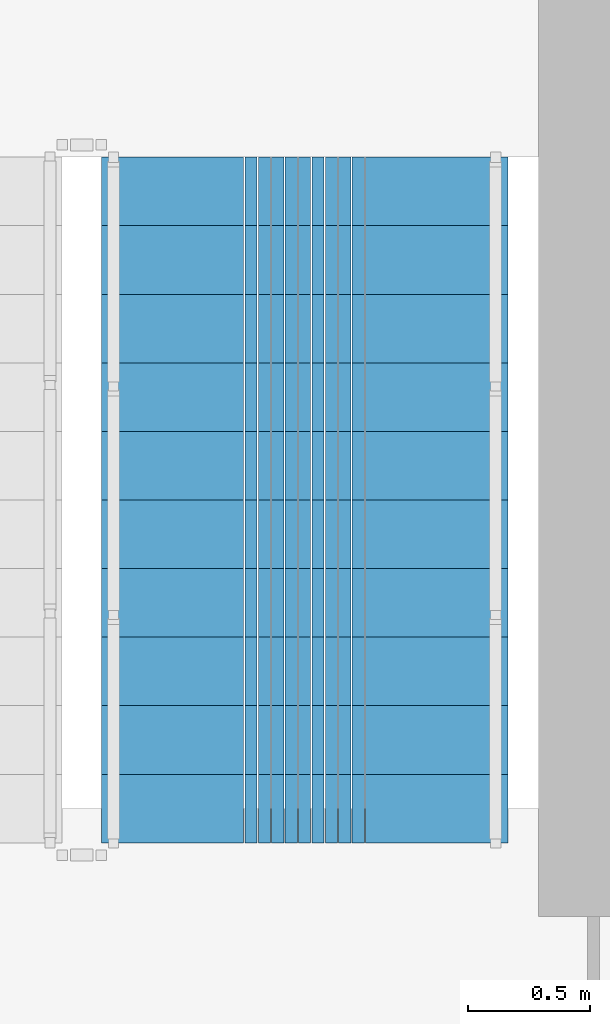
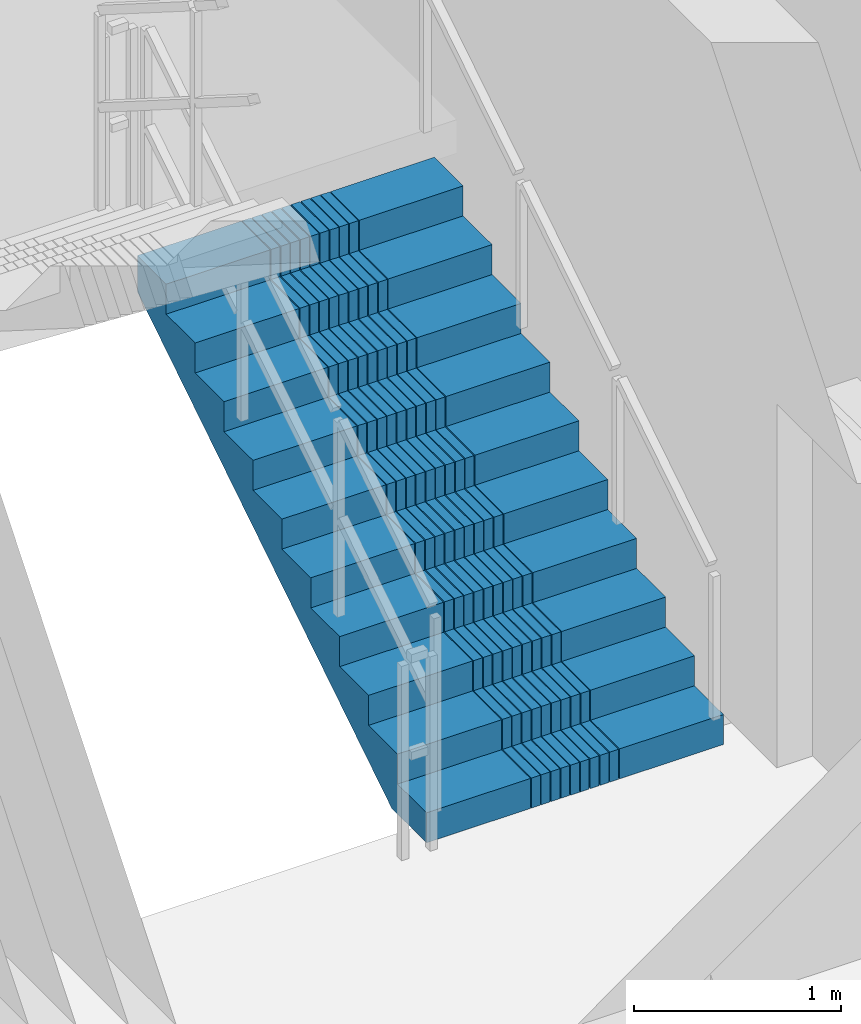
# One storey, part 44 of 45: 1 stair flight, 1 element without a shape of its own.
"""IFC4 building model written with IfcOpenShell, lengths in metres."""

import ifcopenshell
import ifcopenshell.guid

model = None  # the IFC model being written
_history = None  # IfcOwnerHistory: only IFC2X3 demands one
_inside = {}  # id of a spatial element -> (the spatial element, [elements in it])
_under = {}  # id of a project, library or spatial element -> (it, [spatial elements below it])
_declared = {}  # id of a project -> (the project, [libraries it declares])
_typed = {}  # id of a type object -> (the type object, [elements of that type])
_made_of = {}  # id of a material, layer set ... -> (it, [elements and type objects made of it])


def new_model(schema):
    """Start an empty IFC model of exactly this schema.

    Asked for "IFC4X3", IfcOpenShell would pick the latest addendum, in which some entities
    have other attributes; the version numbers below select the first issue.
    IFC2X3 requires an IfcOwnerHistory on every rooted entity: one is made here for all.
    """
    global model, _history
    if schema == "IFC4X3":
        model = ifcopenshell.file(schema_version=(4, 3, 0, 0))
    else:
        model = ifcopenshell.file(schema=schema)
    _inside.clear()
    _under.clear()
    _declared.clear()
    _typed.clear()
    _made_of.clear()
    _history = None
    if model.schema == "IFC2X3":
        org = make("IfcOrganization", Name="unknown")
        user = make(
            "IfcPersonAndOrganization",
            ThePerson=make("IfcPerson", FamilyName="unknown"),
            TheOrganization=org,
        )
        app = make(
            "IfcApplication",
            ApplicationDeveloper=org,
            Version="unknown",
            ApplicationFullName="unknown",
            ApplicationIdentifier="unknown",
        )
        _history = make(
            "IfcOwnerHistory",
            OwningUser=user,
            OwningApplication=app,
            ChangeAction="ADDED",
            CreationDate=0,
        )
    return model


def make(cls, **values):
    """One entity of the class cls with the attributes given. An attribute that is None is left unset."""
    return model.create_entity(
        cls, **{name: value for name, value in values.items() if value is not None}
    )


def rooted(cls, **values):
    """An entity with a GlobalId (a new one), such as an element, a storey or a relation."""
    return make(cls, GlobalId=ifcopenshell.guid.new(), OwnerHistory=_history, **values)


def si_unit(unit_type, name, prefix=None):
    """IfcSIUnit, for example si_unit("LENGTHUNIT", "METRE", prefix="MILLI")."""
    return make("IfcSIUnit", UnitType=unit_type, Prefix=prefix, Name=name)


def assignment(units):
    """IfcUnitAssignment: the units of a project."""
    return None if units is None else make("IfcUnitAssignment", Units=units)


def point(xyz):
    """IfcCartesianPoint."""
    return None if xyz is None else make("IfcCartesianPoint", Coordinates=xyz)


def direction(xyz):
    """IfcDirection."""
    return None if xyz is None else make("IfcDirection", DirectionRatios=xyz)


def frame(location, z_axis=None, x_axis=None):
    """IfcAxis2Placement3D, a coordinate frame: its origin and axes. An axis left out is left unset."""
    return make(
        "IfcAxis2Placement3D",
        Location=point(location),
        Axis=direction(z_axis),
        RefDirection=direction(x_axis),
    )


def origin():
    """The frame at (0, 0, 0) with its axes left unset."""
    return frame((0.0, 0.0, 0.0))


def place(relative_to, where):
    """IfcLocalPlacement: puts the frame where relative to a parent placement (None: the world)."""
    return make(
        "IfcLocalPlacement", PlacementRelTo=relative_to, RelativePlacement=where
    )


def context(
    kind, dimensions, precision=None, world=None, true_north=None, identifier=None
):
    """IfcGeometricRepresentationContext, for example the 3D "Model" context."""
    return make(
        "IfcGeometricRepresentationContext",
        ContextIdentifier=identifier,
        ContextType=kind,
        CoordinateSpaceDimension=dimensions,
        Precision=precision,
        WorldCoordinateSystem=world,
        TrueNorth=true_north,
    )


def subcontext(parent, identifier, kind, view, scale=None):
    """IfcGeometricRepresentationSubContext, for example "Body" below "Model"."""
    return make(
        "IfcGeometricRepresentationSubContext",
        ContextIdentifier=identifier,
        ContextType=kind,
        ParentContext=parent,
        TargetScale=scale,
        TargetView=view,
    )


def project(units=None, contexts=None):
    """IfcProject with its units and contexts."""
    return rooted(
        "IfcProject",
        Name="project",
        RepresentationContexts=contexts,
        UnitsInContext=assignment(units),
    )


def spatial(cls, under=None, at=None, **own):
    """A site, building, storey or space (cls), placed at a placement, below another one or the project."""
    s = rooted(cls, ObjectPlacement=at, **own)
    if under is not None:
        _under.setdefault(under.id(), (under, []))[1].append(s)
    return s


def polyline(points):
    """IfcPolyline through the points."""
    return make("IfcPolyline", Points=[point(p) for p in points])


def outline(outer, holes=None, kind="AREA"):
    """IfcArbitraryClosedProfileDef: a profile drawn as a closed curve; with holes, ...WithVoids."""
    if holes is None:
        return make("IfcArbitraryClosedProfileDef", ProfileType=kind, OuterCurve=outer)
    return make(
        "IfcArbitraryProfileDefWithVoids",
        ProfileType=kind,
        OuterCurve=outer,
        InnerCurves=holes,
    )


def extrude(swept, where, along, depth):
    """IfcExtrudedAreaSolid: the profile swept, set in the frame where, extruded along a direction by depth."""
    return make(
        "IfcExtrudedAreaSolid",
        SweptArea=swept,
        Position=where,
        ExtrudedDirection=direction(along),
        Depth=depth,
    )


def shape(context_of_items, identifier, shape_type, items):
    """IfcShapeRepresentation: the items that make up one representation, for example the "Body"."""
    return make(
        "IfcShapeRepresentation",
        ContextOfItems=context_of_items,
        RepresentationIdentifier=identifier,
        RepresentationType=shape_type,
        Items=items,
    )


def material(Name=None, Category=None):
    """IfcMaterial."""
    return make("IfcMaterial", Name=Name, Category=Category)


def made_of(thing, what):
    """Note that an element or type object is made of a material, layer set ...; save() writes the relation."""
    if what is not None:
        _made_of.setdefault(what.id(), (what, []))[1].append(thing)
    return thing


def type_object(cls, material=None, **own):
    """A type object (cls), such as IfcWallType, which elements share."""
    return made_of(rooted(cls, **own), material)


def element(
    cls,
    number,
    at=None,
    inside=None,
    cuts=None,
    type_object=None,
    material=None,
    context=None,
    identifier="Body",
    shape_type=None,
    held_by="IfcProductDefinitionShape",
    body=None,
    shapes=None,
    **own,
):
    """One element of the class cls, such as IfcWall. Its Tag is "e" and its number.

    at: its placement. inside: the storey or other place that contains it. cuts: it is an
    opening in that element (IfcRelVoidsElement). A single representation is given by context,
    identifier, shape_type and body (its items); several are given by shapes. held_by: the class
    of the entity that holds the representations. save() writes the other relations.
    """
    e = rooted(cls, Tag="e%d" % number, ObjectPlacement=at, **own)
    if body is not None:
        shapes = [shape(context, identifier, shape_type, body)]
    if shapes is not None:
        e.Representation = make(held_by, Representations=shapes)
    if inside is not None:
        _inside.setdefault(inside.id(), (inside, []))[1].append(e)
    if cuts is not None:
        rooted(
            "IfcRelVoidsElement", RelatingBuildingElement=cuts, RelatedOpeningElement=e
        )
    if type_object is not None:
        _typed.setdefault(type_object.id(), (type_object, []))[1].append(e)
    return made_of(e, material)


def aggregate(whole, parts):
    """IfcRelAggregates: a whole, such as a stair, and the parts it consists of."""
    return rooted("IfcRelAggregates", RelatingObject=whole, RelatedObjects=parts)


def save(model, path):
    """Write the relations noted so far, then the file.

    IfcRelAggregates (storeys below a building ...), IfcRelContainedInSpatialStructure (elements
    in a storey), IfcRelDefinesByType, IfcRelAssociatesMaterial and IfcRelDeclares: one each for
    every whole, place, type object, material and project.
    """
    for whole, parts in _under.values():
        aggregate(whole, parts)
    for where, things in _inside.values():
        rooted(
            "IfcRelContainedInSpatialStructure",
            RelatedElements=things,
            RelatingStructure=where,
        )
    for kind, things in _typed.values():
        rooted("IfcRelDefinesByType", RelatedObjects=things, RelatingType=kind)
    for what, things in _made_of.values():
        rooted("IfcRelAssociatesMaterial", RelatedObjects=things, RelatingMaterial=what)
    for by, libraries in _declared.values():
        rooted("IfcRelDeclares", RelatingContext=by, RelatedDefinitions=libraries)
    model.write(path)


model = new_model("IFC4")

# Units and contexts
model_context = context("Model", 3, precision=1e-05, world=origin(), true_north=direction((0.0, 1.0)))
body_context = subcontext(model_context, "Body", "Model", "MODEL_VIEW")
ifc_project = project(units=[si_unit("LENGTHUNIT", "METRE"), si_unit("AREAUNIT", "SQUARE_METRE"), si_unit("VOLUMEUNIT", "CUBIC_METRE"), si_unit("PLANEANGLEUNIT", "RADIAN"), si_unit("MASSUNIT", "GRAM", prefix="KILO")], contexts=[model_context])

# Site, building, storey
site_placement = place(None, origin())
site = spatial("IfcSite", under=ifc_project, at=site_placement, CompositionType="ELEMENT")
building_placement = place(site_placement, origin())
building = spatial("IfcBuilding", under=site, at=building_placement, Name="Saelheon Loggia Tower", CompositionType="ELEMENT")
storey_placement = place(building_placement, frame((0.0, 0.0, 152.199951171875)))
storey = spatial("IfcBuildingStorey", under=building, at=storey_placement, Name="L48", CompositionType="ELEMENT", Elevation=152.199951171875)

# Stair, stair flight
ifc_material = material(Name="Concrete C40/50", Category="concrete")
stair_type = type_object("IfcStairType", Name="Stair_Escape_Core", PredefinedType="HALF_TURN_STAIR", material=ifc_material)
stair_placement = place(storey_placement, origin())
stair = element("IfcStair", 1, at=stair_placement, inside=storey, type_object=stair_type, Name="L48 Special Escape Stair ST2", PredefinedType="HALF_TURN_STAIR")
stair_flight_type = type_object("IfcStairFlightType", Name="StairFlight_Tower_1660", PredefinedType="STRAIGHT", material=ifc_material)
stair_flight_placement = place(storey_placement, frame((43.320068359375, 30.449951171875, 0.0), z_axis=(0.0, 0.0, 1.0), x_axis=(0.0, 1.0, 0.0)))
stair_flight = element("IfcStairFlight", 2, at=stair_flight_placement, type_object=stair_flight_type, Name="ST2 flight 1", NumberOfRisers=11, NumberOfTreads=10, PredefinedType="STRAIGHT", RiserHeight=0.177272727, TreadLength=0.28, context=body_context, shape_type="SweptSolid", body=[
    extrude(outline(polyline([(0.0, 0.0), (0.0, 0.17724609375), (0.280029296875, 0.17724609375), (0.280029296875, 0.3544921875), (0.56005859375, 0.3544921875), (0.56005859375, 0.53173828125), (0.840087890625, 0.53173828125), (0.840087890625, 0.708984375), (1.1201171875, 0.708984375), (1.1201171875, 0.886474609375), (1.39990234375, 0.886474609375), (1.39990234375, 1.063720703125), (1.679931640625, 1.063720703125), (1.679931640625, 1.240966796875), (1.9599609375, 1.240966796875), (1.9599609375, 1.418212890625), (2.239990234375, 1.418212890625), (2.239990234375, 1.595458984375), (2.52001953125, 1.595458984375), (2.52001953125, 1.772705078125), (2.800048828125, 1.772705078125), (2.800048828125, 1.949951171875), (2.800048828125, 1.559814453125), (0.33642578125, 0.0), (0.0, 0.0)])), frame((0.0, -0.2490234375, 0.0), z_axis=(0.0, -1.0, 0.0), x_axis=(1.0, 0.0, 0.0)), (0.0, 0.0, 1.0), 0.5810546875),
    extrude(outline(polyline([(0.0, 0.0), (0.0, 0.17724609375), (0.280029296875, 0.17724609375), (0.280029296875, 0.3544921875), (0.56005859375, 0.3544921875), (0.56005859375, 0.53173828125), (0.840087890625, 0.53173828125), (0.840087890625, 0.708984375), (1.1201171875, 0.708984375), (1.1201171875, 0.886474609375), (1.39990234375, 0.886474609375), (1.39990234375, 1.063720703125), (1.679931640625, 1.063720703125), (1.679931640625, 1.240966796875), (1.9599609375, 1.240966796875), (1.9599609375, 1.418212890625), (2.239990234375, 1.418212890625), (2.239990234375, 1.595458984375), (2.52001953125, 1.595458984375), (2.52001953125, 1.772705078125), (2.800048828125, 1.772705078125), (2.800048828125, 1.949951171875), (2.800048828125, 1.559814453125), (0.33642578125, 0.0), (0.0, 0.0)])), frame((0.0, -0.194091796875, 0.0), z_axis=(0.0, -1.0, 0.0), x_axis=(1.0, 0.0, 0.0)), (0.0, 0.0, 1.0), 0.0498046875),
    extrude(outline(polyline([(0.0, 0.0), (0.0, 0.17724609375), (0.280029296875, 0.17724609375), (0.280029296875, 0.3544921875), (0.56005859375, 0.3544921875), (0.56005859375, 0.53173828125), (0.840087890625, 0.53173828125), (0.840087890625, 0.708984375), (1.1201171875, 0.708984375), (1.1201171875, 0.886474609375), (1.39990234375, 0.886474609375), (1.39990234375, 1.063720703125), (1.679931640625, 1.063720703125), (1.679931640625, 1.240966796875), (1.9599609375, 1.240966796875), (1.9599609375, 1.418212890625), (2.239990234375, 1.418212890625), (2.239990234375, 1.595458984375), (2.52001953125, 1.595458984375), (2.52001953125, 1.772705078125), (2.800048828125, 1.772705078125), (2.800048828125, 1.949951171875), (2.800048828125, 1.559814453125), (0.33642578125, 0.0), (0.0, 0.0)])), frame((0.0, -0.139404296875, 0.0), z_axis=(0.0, -1.0, 0.0), x_axis=(1.0, 0.0, 0.0)), (0.0, 0.0, 1.0), 0.0498046875),
    extrude(outline(polyline([(0.0, 0.0), (0.0, 0.17724609375), (0.280029296875, 0.17724609375), (0.280029296875, 0.3544921875), (0.56005859375, 0.3544921875), (0.56005859375, 0.53173828125), (0.840087890625, 0.53173828125), (0.840087890625, 0.708984375), (1.1201171875, 0.708984375), (1.1201171875, 0.886474609375), (1.39990234375, 0.886474609375), (1.39990234375, 1.063720703125), (1.679931640625, 1.063720703125), (1.679931640625, 1.240966796875), (1.9599609375, 1.240966796875), (1.9599609375, 1.418212890625), (2.239990234375, 1.418212890625), (2.239990234375, 1.595458984375), (2.52001953125, 1.595458984375), (2.52001953125, 1.772705078125), (2.800048828125, 1.772705078125), (2.800048828125, 1.949951171875), (2.800048828125, 1.559814453125), (0.33642578125, 0.0), (0.0, 0.0)])), frame((0.0, -0.084716796875, 0.0), z_axis=(0.0, -1.0, 0.0), x_axis=(1.0, 0.0, 0.0)), (0.0, 0.0, 1.0), 0.0498046875),
    extrude(outline(polyline([(0.0, 0.0), (0.0, 0.17724609375), (0.280029296875, 0.17724609375), (0.280029296875, 0.3544921875), (0.56005859375, 0.3544921875), (0.56005859375, 0.53173828125), (0.840087890625, 0.53173828125), (0.840087890625, 0.708984375), (1.1201171875, 0.708984375), (1.1201171875, 0.886474609375), (1.39990234375, 0.886474609375), (1.39990234375, 1.063720703125), (1.679931640625, 1.063720703125), (1.679931640625, 1.240966796875), (1.9599609375, 1.240966796875), (1.9599609375, 1.418212890625), (2.239990234375, 1.418212890625), (2.239990234375, 1.595458984375), (2.52001953125, 1.595458984375), (2.52001953125, 1.772705078125), (2.800048828125, 1.772705078125), (2.800048828125, 1.949951171875), (2.800048828125, 1.559814453125), (0.33642578125, 0.0), (0.0, 0.0)])), frame((0.0, -0.02978515625, 0.0), z_axis=(0.0, -1.0, 0.0), x_axis=(1.0, 0.0, 0.0)), (0.0, 0.0, 1.0), 0.0498046875),
    extrude(outline(polyline([(0.0, 0.0), (0.0, 0.17724609375), (0.280029296875, 0.17724609375), (0.280029296875, 0.3544921875), (0.56005859375, 0.3544921875), (0.56005859375, 0.53173828125), (0.840087890625, 0.53173828125), (0.840087890625, 0.708984375), (1.1201171875, 0.708984375), (1.1201171875, 0.886474609375), (1.39990234375, 0.886474609375), (1.39990234375, 1.063720703125), (1.679931640625, 1.063720703125), (1.679931640625, 1.240966796875), (1.9599609375, 1.240966796875), (1.9599609375, 1.418212890625), (2.239990234375, 1.418212890625), (2.239990234375, 1.595458984375), (2.52001953125, 1.595458984375), (2.52001953125, 1.772705078125), (2.800048828125, 1.772705078125), (2.800048828125, 1.949951171875), (2.800048828125, 1.559814453125), (0.33642578125, 0.0), (0.0, 0.0)])), frame((0.0, 0.02490234375, 0.0), z_axis=(0.0, -1.0, 0.0), x_axis=(1.0, 0.0, 0.0)), (0.0, 0.0, 1.0), 0.0498046875),
    extrude(outline(polyline([(0.0, 0.0), (0.0, 0.17724609375), (0.280029296875, 0.17724609375), (0.280029296875, 0.3544921875), (0.56005859375, 0.3544921875), (0.56005859375, 0.53173828125), (0.840087890625, 0.53173828125), (0.840087890625, 0.708984375), (1.1201171875, 0.708984375), (1.1201171875, 0.886474609375), (1.39990234375, 0.886474609375), (1.39990234375, 1.063720703125), (1.679931640625, 1.063720703125), (1.679931640625, 1.240966796875), (1.9599609375, 1.240966796875), (1.9599609375, 1.418212890625), (2.239990234375, 1.418212890625), (2.239990234375, 1.595458984375), (2.52001953125, 1.595458984375), (2.52001953125, 1.772705078125), (2.800048828125, 1.772705078125), (2.800048828125, 1.949951171875), (2.800048828125, 1.559814453125), (0.33642578125, 0.0), (0.0, 0.0)])), frame((0.0, 0.07958984375, 0.0), z_axis=(0.0, -1.0, 0.0), x_axis=(1.0, 0.0, 0.0)), (0.0, 0.0, 1.0), 0.0498046875),
    extrude(outline(polyline([(0.0, 0.0), (0.0, 0.17724609375), (0.280029296875, 0.17724609375), (0.280029296875, 0.3544921875), (0.56005859375, 0.3544921875), (0.56005859375, 0.53173828125), (0.840087890625, 0.53173828125), (0.840087890625, 0.708984375), (1.1201171875, 0.708984375), (1.1201171875, 0.886474609375), (1.39990234375, 0.886474609375), (1.39990234375, 1.063720703125), (1.679931640625, 1.063720703125), (1.679931640625, 1.240966796875), (1.9599609375, 1.240966796875), (1.9599609375, 1.418212890625), (2.239990234375, 1.418212890625), (2.239990234375, 1.595458984375), (2.52001953125, 1.595458984375), (2.52001953125, 1.772705078125), (2.800048828125, 1.772705078125), (2.800048828125, 1.949951171875), (2.800048828125, 1.559814453125), (0.33642578125, 0.0), (0.0, 0.0)])), frame((0.0, 0.134521484375, 0.0), z_axis=(0.0, -1.0, 0.0), x_axis=(1.0, 0.0, 0.0)), (0.0, 0.0, 1.0), 0.0498046875),
    extrude(outline(polyline([(0.0, 0.0), (0.0, 0.17724609375), (0.280029296875, 0.17724609375), (0.280029296875, 0.3544921875), (0.56005859375, 0.3544921875), (0.56005859375, 0.53173828125), (0.840087890625, 0.53173828125), (0.840087890625, 0.708984375), (1.1201171875, 0.708984375), (1.1201171875, 0.886474609375), (1.39990234375, 0.886474609375), (1.39990234375, 1.063720703125), (1.679931640625, 1.063720703125), (1.679931640625, 1.240966796875), (1.9599609375, 1.240966796875), (1.9599609375, 1.418212890625), (2.239990234375, 1.418212890625), (2.239990234375, 1.595458984375), (2.52001953125, 1.595458984375), (2.52001953125, 1.772705078125), (2.800048828125, 1.772705078125), (2.800048828125, 1.949951171875), (2.800048828125, 1.559814453125), (0.33642578125, 0.0), (0.0, 0.0)])), frame((0.0, 0.189208984375, 0.0), z_axis=(0.0, -1.0, 0.0), x_axis=(1.0, 0.0, 0.0)), (0.0, 0.0, 1.0), 0.0498046875),
    extrude(outline(polyline([(0.0, 0.0), (0.0, 0.17724609375), (0.280029296875, 0.17724609375), (0.280029296875, 0.3544921875), (0.56005859375, 0.3544921875), (0.56005859375, 0.53173828125), (0.840087890625, 0.53173828125), (0.840087890625, 0.708984375), (1.1201171875, 0.708984375), (1.1201171875, 0.886474609375), (1.39990234375, 0.886474609375), (1.39990234375, 1.063720703125), (1.679931640625, 1.063720703125), (1.679931640625, 1.240966796875), (1.9599609375, 1.240966796875), (1.9599609375, 1.418212890625), (2.239990234375, 1.418212890625), (2.239990234375, 1.595458984375), (2.52001953125, 1.595458984375), (2.52001953125, 1.772705078125), (2.800048828125, 1.772705078125), (2.800048828125, 1.949951171875), (2.800048828125, 1.559814453125), (0.33642578125, 0.0), (0.0, 0.0)])), frame((0.0, 0.243896484375, 0.0), z_axis=(0.0, -1.0, 0.0), x_axis=(1.0, 0.0, 0.0)), (0.0, 0.0, 1.0), 0.0498046875),
    extrude(outline(polyline([(0.0, 0.0), (0.0, 0.17724609375), (0.280029296875, 0.17724609375), (0.280029296875, 0.3544921875), (0.56005859375, 0.3544921875), (0.56005859375, 0.53173828125), (0.840087890625, 0.53173828125), (0.840087890625, 0.708984375), (1.1201171875, 0.708984375), (1.1201171875, 0.886474609375), (1.39990234375, 0.886474609375), (1.39990234375, 1.063720703125), (1.679931640625, 1.063720703125), (1.679931640625, 1.240966796875), (1.9599609375, 1.240966796875), (1.9599609375, 1.418212890625), (2.239990234375, 1.418212890625), (2.239990234375, 1.595458984375), (2.52001953125, 1.595458984375), (2.52001953125, 1.772705078125), (2.800048828125, 1.772705078125), (2.800048828125, 1.949951171875), (2.800048828125, 1.559814453125), (0.33642578125, 0.0), (0.0, 0.0)])), frame((0.0, 0.830078125, 0.0), z_axis=(0.0, -1.0, 0.0), x_axis=(1.0, 0.0, 0.0)), (0.0, 0.0, 1.0), 0.5810546875),
])
aggregate(stair, [stair_flight])

save(model, "model.ifc")
